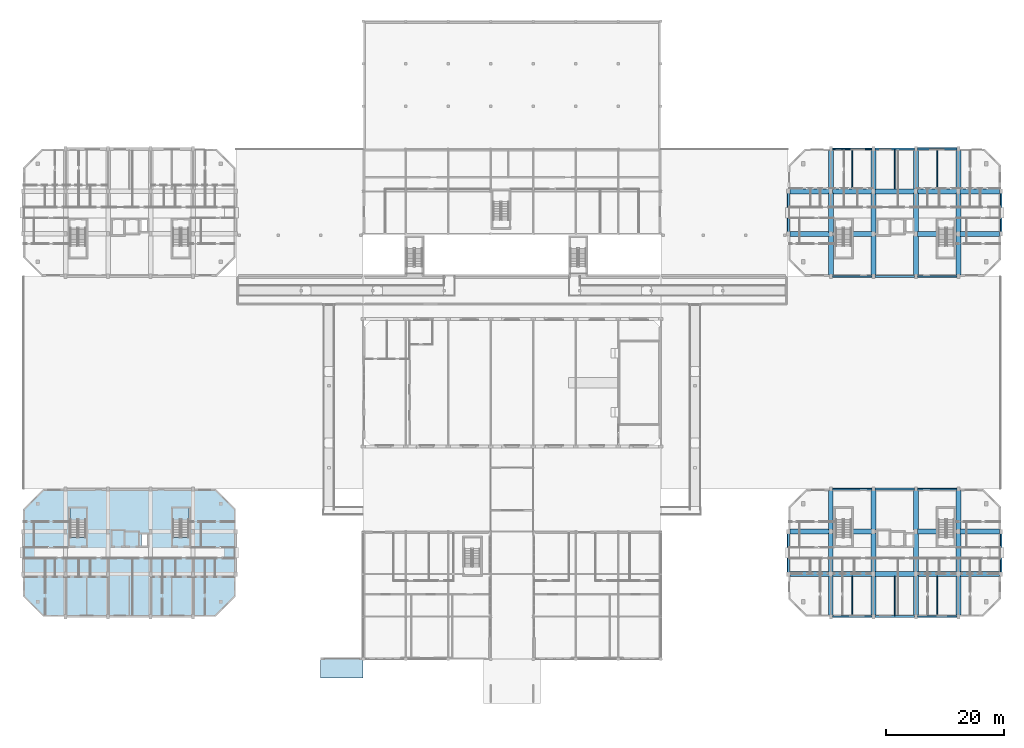
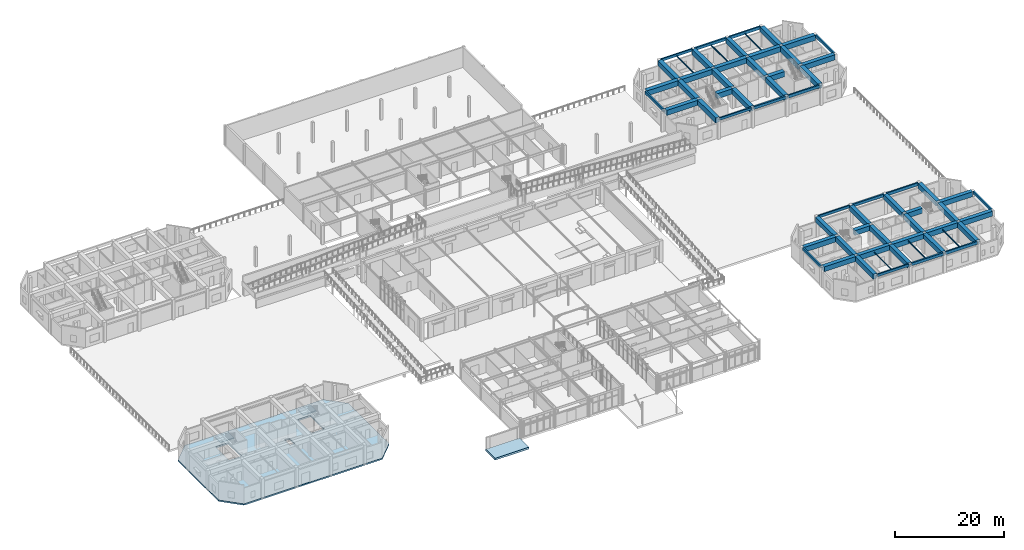
# One storey, part 32 of 85: 64 beams, 4 slabs, 2 elements without a shape of their own.
"""IFC4 building model written with IfcOpenShell, lengths in metres."""

from ifc_helpers import new_model, si_unit, direction, frame, origin, origin_2d, place, context, subcontext, project, spatial, polyline, rectangle, i_section, outline, extrude, material, layer, layer_set, material_profile, profile_set, type_object, element, aggregate, save


model = new_model("IFC4")

# Units and contexts
model_context = context("Model", 3, precision=1e-05, world=origin(), true_north=direction((0.0, 1.0)))
body_context = subcontext(model_context, "Body", "Model", "MODEL_VIEW")
ifc_project = project(units=[si_unit("LENGTHUNIT", "METRE"), si_unit("AREAUNIT", "SQUARE_METRE"), si_unit("VOLUMEUNIT", "CUBIC_METRE"), si_unit("PLANEANGLEUNIT", "RADIAN"), si_unit("MASSUNIT", "GRAM", prefix="KILO")], contexts=[model_context])

# Site, building, storey
site_placement = place(None, origin())
site = spatial("IfcSite", under=ifc_project, at=site_placement, CompositionType="ELEMENT")
building_placement = place(site_placement, origin())
building = spatial("IfcBuilding", under=site, at=building_placement, Name="Ochrevale Crest", CompositionType="ELEMENT")
storey_placement = place(building_placement, origin())
storey = spatial("IfcBuildingStorey", under=building, at=storey_placement, Name="L00", CompositionType="ELEMENT", Elevation=0.0)

# Beams
ifc_material_1 = material(Name="Precast concrete C40/50", Category="concrete")
ifc_material_profile_1 = material_profile(ifc_material_1, rectangle(XDim=0.280029296875, YDim=0.550048828125, at=origin_2d()), Name="PC 280x550")
ifc_profile_set_1 = profile_set([ifc_material_profile_1], Name="Precast concrete C40/50")
beam_type_1 = type_object("IfcBeamType", Name="BM-SP280x550", PredefinedType="SPANDREL", material=ifc_profile_set_1)
for number, where, z_axis, x_axis, name in (
    (1, (137.050048828125, 14.39990234375, 4.22509765625), (1.0, 0.0, 0.0), (0.0, 1.0, 0.0), "Block C L00 E-W beam Y=14.4"),
    (2, (137.050048828125, 36.0, 4.22509765625), (1.0, 0.0, 0.0), (0.0, 1.0, 0.0), "Block C L00 E-W beam Y=36.0"),
    (3, (137.050048828125, 72.0, 4.22509765625), (1.0, 0.0, 0.0), (0.0, 1.0, 0.0), "Block D L00 E-W beam Y=72.0"),
    (4, (137.050048828125, 93.60009765625, 4.22509765625), (1.0, 0.0, 0.0), (0.0, 1.0, 0.0), "Block D L00 E-W beam Y=93.6"),
):
    element("IfcBeam", number, at=place(storey_placement, frame(where, z_axis=z_axis, x_axis=x_axis)), inside=storey, type_object=beam_type_1, Name=name, PredefinedType="SPANDREL", context=body_context, shape_type="SweptSolid", body=[
        extrude(rectangle(XDim=0.280029296875, YDim=0.550048828125, at=origin_2d()), origin(), (0.0, 0.0, 1.0), 6.699951171875),
    ])
ifc_material_profile_2 = material_profile(ifc_material_1, rectangle(XDim=0.300048828125, YDim=0.60009765625, at=origin_2d()), Name="PC 300x600")
ifc_profile_set_2 = profile_set([ifc_material_profile_2], Name="Precast concrete C40/50")
beam_type_2 = type_object("IfcBeamType", Name="BM-SP300x600", PredefinedType="SPANDREL", material=ifc_profile_set_2)
for number, where, z_axis, x_axis, name in (
    (5, (129.60009765625, 21.85498046875, 4.199951171875), (0.0, 1.0, 0.0), (-1.0, 0.0, 0.0), "Block C L00 N-S beam X=129.6"),
    (6, (165.60009765625, 21.85498046875, 4.199951171875), (0.0, 1.0, 0.0), (-1.0, 0.0, 0.0), "Block C L00 N-S beam X=165.6"),
    (7, (129.60009765625, 79.455078125, 4.199951171875), (0.0, 1.0, 0.0), (-1.0, 0.0, 0.0), "Block D L00 N-S beam X=129.6"),
    (8, (165.60009765625, 79.455078125, 4.199951171875), (0.0, 1.0, 0.0), (-1.0, 0.0, 0.0), "Block D L00 N-S beam X=165.6"),
):
    element("IfcBeam", number, at=place(storey_placement, frame(where, z_axis=z_axis, x_axis=x_axis)), inside=storey, type_object=beam_type_2, Name=name, PredefinedType="SPANDREL", context=body_context, shape_type="SweptSolid", body=[
        extrude(rectangle(XDim=0.300048828125, YDim=0.60009765625, at=origin_2d()), origin(), (0.0, 0.0, 1.0), 6.68994140625),
    ])
ifc_material_profile_3 = material_profile(ifc_material_1, rectangle(XDim=0.300048828125, YDim=0.64990234375, at=origin_2d()), Name="PC 300x650")
ifc_profile_set_3 = profile_set([ifc_material_profile_3], Name="Precast concrete C40/50")
beam_type_3 = type_object("IfcBeamType", Name="BM-SP300x650", PredefinedType="SPANDREL", material=ifc_profile_set_3)
for number, where, z_axis, x_axis, name in (
    (9, (151.449951171875, 14.39990234375, 4.175048828125), (1.0, 0.0, 0.0), (0.0, 1.0, 0.0), "Block C L00 E-W beam Y=14.4"),
    (10, (151.449951171875, 36.0, 4.175048828125), (1.0, 0.0, 0.0), (0.0, 1.0, 0.0), "Block C L00 E-W beam Y=36.0"),
    (11, (151.449951171875, 72.0, 4.175048828125), (1.0, 0.0, 0.0), (0.0, 1.0, 0.0), "Block D L00 E-W beam Y=72.0"),
    (12, (151.449951171875, 93.60009765625, 4.175048828125), (1.0, 0.0, 0.0), (0.0, 1.0, 0.0), "Block D L00 E-W beam Y=93.6"),
):
    element("IfcBeam", number, at=place(storey_placement, frame(where, z_axis=z_axis, x_axis=x_axis)), inside=storey, type_object=beam_type_3, Name=name, PredefinedType="SPANDREL", context=body_context, shape_type="SweptSolid", body=[
        extrude(rectangle(XDim=0.300048828125, YDim=0.64990234375, at=origin_2d()), origin(), (0.0, 0.0, 1.0), 6.699951171875),
    ])
ifc_material_profile_4 = material_profile(ifc_material_1, rectangle(XDim=0.35009765625, YDim=0.60009765625, at=origin_2d()), Name="PC 350x600")
ifc_profile_set_4 = profile_set([ifc_material_profile_4], Name="Precast concrete C40/50")
beam_type_4 = type_object("IfcBeamType", Name="BM-SP350x600", PredefinedType="SPANDREL", material=ifc_profile_set_4)
for number, where, z_axis, x_axis, name in (
    (13, (144.25, 14.39990234375, 4.199951171875), (1.0, 0.0, 0.0), (0.0, 1.0, 0.0), "Block C L00 E-W beam Y=14.4"),
    (14, (144.25, 36.0, 4.199951171875), (1.0, 0.0, 0.0), (0.0, 1.0, 0.0), "Block C L00 E-W beam Y=36.0"),
    (15, (144.25, 72.0, 4.199951171875), (1.0, 0.0, 0.0), (0.0, 1.0, 0.0), "Block D L00 E-W beam Y=72.0"),
    (16, (144.25, 93.60009765625, 4.199951171875), (1.0, 0.0, 0.0), (0.0, 1.0, 0.0), "Block D L00 E-W beam Y=93.6"),
):
    element("IfcBeam", number, at=place(storey_placement, frame(where, z_axis=z_axis, x_axis=x_axis)), inside=storey, type_object=beam_type_4, Name=name, PredefinedType="SPANDREL", context=body_context, shape_type="SweptSolid", body=[
        extrude(rectangle(XDim=0.35009765625, YDim=0.60009765625, at=origin_2d()), origin(), (0.0, 0.0, 1.0), 6.699951171875),
    ])
ifc_material_2 = material(Name="Concrete C50/60", Category="concrete")
ifc_material_profile_5 = material_profile(ifc_material_2, rectangle(XDim=0.800048828125, YDim=1.10009765625, at=origin_2d()), Name="RC 800x1100")
ifc_profile_set_5 = profile_set([ifc_material_profile_5], Name="Concrete C50/60")
beam_type_5 = type_object("IfcBeamType", Name="BM-TG800x1100", PredefinedType="USERDEFINED", material=ifc_profile_set_5)
beam_1_placement = place(storey_placement, frame((129.85009765625, 21.60009765625, 3.949951171875), z_axis=(1.0, 0.0, 0.0), x_axis=(0.0, 1.0, 0.0)))
element("IfcBeam", 17, at=beam_1_placement, inside=storey, type_object=beam_type_5, Name="Block C L00 E-W beam Y=21.6", ObjectType="GIRDER", PredefinedType="USERDEFINED", context=body_context, shape_type="SweptSolid", body=[
    extrude(rectangle(XDim=0.800048828125, YDim=1.10009765625, at=origin_2d()), origin(), (0.0, 0.0, 1.0), 6.6748046875),
])
for number, where, z_axis, x_axis, name in (
    (18, (137.074951171875, 21.60009765625, 3.949951171875), (1.0, 0.0, 0.0), (0.0, 1.0, 0.0), "Block C L00 E-W beam Y=21.6"),
    (19, (144.27490234375, 21.60009765625, 3.949951171875), (1.0, 0.0, 0.0), (0.0, 1.0, 0.0), "Block C L00 E-W beam Y=21.6"),
):
    element("IfcBeam", number, at=place(storey_placement, frame(where, z_axis=z_axis, x_axis=x_axis)), inside=storey, type_object=beam_type_5, Name=name, ObjectType="GIRDER", PredefinedType="USERDEFINED", context=body_context, shape_type="SweptSolid", body=[
        extrude(rectangle(XDim=0.800048828125, YDim=1.10009765625, at=origin_2d()), origin(), (0.0, 0.0, 1.0), 6.650146484375),
    ])
beam_2_placement = place(storey_placement, frame((151.47509765625, 21.60009765625, 3.949951171875), z_axis=(1.0, 0.0, 0.0), x_axis=(0.0, 1.0, 0.0)))
element("IfcBeam", 20, at=beam_2_placement, inside=storey, type_object=beam_type_5, Name="Block C L00 E-W beam Y=21.6", ObjectType="GIRDER", PredefinedType="USERDEFINED", context=body_context, shape_type="SweptSolid", body=[
    extrude(rectangle(XDim=0.800048828125, YDim=1.10009765625, at=origin_2d()), origin(), (0.0, 0.0, 1.0), 6.64990234375),
])
beam_3_placement = place(storey_placement, frame((158.675048828125, 21.60009765625, 3.949951171875), z_axis=(1.0, 0.0, 0.0), x_axis=(0.0, 1.0, 0.0)))
element("IfcBeam", 21, at=beam_3_placement, inside=storey, type_object=beam_type_5, Name="Block C L00 E-W beam Y=21.6", ObjectType="GIRDER", PredefinedType="USERDEFINED", context=body_context, shape_type="SweptSolid", body=[
    extrude(rectangle(XDim=0.800048828125, YDim=1.10009765625, at=origin_2d()), origin(), (0.0, 0.0, 1.0), 6.675048828125),
])
beam_4_placement = place(storey_placement, frame((129.85009765625, 28.800048828125, 3.949951171875), z_axis=(1.0, 0.0, 0.0), x_axis=(0.0, 1.0, 0.0)))
element("IfcBeam", 22, at=beam_4_placement, inside=storey, type_object=beam_type_5, Name="Block C L00 E-W beam Y=28.8", ObjectType="GIRDER", PredefinedType="USERDEFINED", context=body_context, shape_type="SweptSolid", body=[
    extrude(rectangle(XDim=0.800048828125, YDim=1.10009765625, at=origin_2d()), origin(), (0.0, 0.0, 1.0), 6.6748046875),
])
beam_5_placement = place(storey_placement, frame((140.489990234375, 28.800048828125, 3.949951171875), z_axis=(1.0, 0.0, 0.0), x_axis=(0.0, 1.0, 0.0)))
element("IfcBeam", 23, at=beam_5_placement, inside=storey, type_object=beam_type_5, Name="Block C L00 E-W beam Y=28.8", ObjectType="GIRDER", PredefinedType="USERDEFINED", context=body_context, shape_type="SweptSolid", body=[
    extrude(rectangle(XDim=0.800048828125, YDim=1.10009765625, at=origin_2d()), origin(), (0.0, 0.0, 1.0), 3.235107421875),
])
beam_6_placement = place(storey_placement, frame((151.47509765625, 28.800048828125, 3.949951171875), z_axis=(1.0, 0.0, 0.0), x_axis=(0.0, 1.0, 0.0)))
element("IfcBeam", 24, at=beam_6_placement, inside=storey, type_object=beam_type_5, Name="Block C L00 E-W beam Y=28.8", ObjectType="GIRDER", PredefinedType="USERDEFINED", context=body_context, shape_type="SweptSolid", body=[
    extrude(rectangle(XDim=0.800048828125, YDim=1.10009765625, at=origin_2d()), origin(), (0.0, 0.0, 1.0), 3.284912109375),
])
beam_7_placement = place(storey_placement, frame((158.675048828125, 28.800048828125, 3.949951171875), z_axis=(1.0, 0.0, 0.0), x_axis=(0.0, 1.0, 0.0)))
element("IfcBeam", 25, at=beam_7_placement, inside=storey, type_object=beam_type_5, Name="Block C L00 E-W beam Y=28.8", ObjectType="GIRDER", PredefinedType="USERDEFINED", context=body_context, shape_type="SweptSolid", body=[
    extrude(rectangle(XDim=0.800048828125, YDim=1.10009765625, at=origin_2d()), origin(), (0.0, 0.0, 1.0), 6.675048828125),
])
beam_8_placement = place(storey_placement, frame((136.800048828125, 14.655029296875, 3.949951171875), z_axis=(0.0, 1.0, 0.0), x_axis=(-1.0, 0.0, 0.0)))
element("IfcBeam", 26, at=beam_8_placement, inside=storey, type_object=beam_type_5, Name="Block C L00 N-S beam X=136.8", ObjectType="GIRDER", PredefinedType="USERDEFINED", context=body_context, shape_type="SweptSolid", body=[
    extrude(rectangle(XDim=0.800048828125, YDim=1.10009765625, at=origin_2d()), origin(), (0.0, 0.0, 1.0), 6.6650390625),
])
beam_9_placement = place(storey_placement, frame((136.800048828125, 21.8798828125, 3.949951171875), z_axis=(0.0, 1.0, 0.0), x_axis=(-1.0, 0.0, 0.0)))
element("IfcBeam", 27, at=beam_9_placement, inside=storey, type_object=beam_type_5, Name="Block C L00 N-S beam X=136.8", ObjectType="GIRDER", PredefinedType="USERDEFINED", context=body_context, shape_type="SweptSolid", body=[
    extrude(rectangle(XDim=0.800048828125, YDim=1.10009765625, at=origin_2d()), origin(), (0.0, 0.0, 1.0), 6.64013671875),
])
for number, where, z_axis, x_axis, name in (
    (28, (136.800048828125, 29.080078125, 3.949951171875), (0.0, 1.0, 0.0), (-1.0, 0.0, 0.0), "Block C L00 N-S beam X=136.8"),
    (29, (144.0, 14.655029296875, 3.949951171875), (0.0, 1.0, 0.0), (-1.0, 0.0, 0.0), "Block C L00 N-S beam X=144.0"),
):
    element("IfcBeam", number, at=place(storey_placement, frame(where, z_axis=z_axis, x_axis=x_axis)), inside=storey, type_object=beam_type_5, Name=name, ObjectType="GIRDER", PredefinedType="USERDEFINED", context=body_context, shape_type="SweptSolid", body=[
        extrude(rectangle(XDim=0.800048828125, YDim=1.10009765625, at=origin_2d()), origin(), (0.0, 0.0, 1.0), 6.6650390625),
    ])
beam_10_placement = place(storey_placement, frame((144.0, 21.8798828125, 3.949951171875), z_axis=(0.0, 1.0, 0.0), x_axis=(-1.0, 0.0, 0.0)))
element("IfcBeam", 30, at=beam_10_placement, inside=storey, type_object=beam_type_5, Name="Block C L00 N-S beam X=144.0", ObjectType="GIRDER", PredefinedType="USERDEFINED", context=body_context, shape_type="SweptSolid", body=[
    extrude(rectangle(XDim=0.800048828125, YDim=1.10009765625, at=origin_2d()), origin(), (0.0, 0.0, 1.0), 6.64013671875),
])
for number, where, z_axis, x_axis, name in (
    (31, (144.0, 29.080078125, 3.949951171875), (0.0, 1.0, 0.0), (-1.0, 0.0, 0.0), "Block C L00 N-S beam X=144.0"),
    (32, (151.199951171875, 14.655029296875, 3.949951171875), (0.0, 1.0, 0.0), (-1.0, 0.0, 0.0), "Block C L00 N-S beam X=151.2"),
):
    element("IfcBeam", number, at=place(storey_placement, frame(where, z_axis=z_axis, x_axis=x_axis)), inside=storey, type_object=beam_type_5, Name=name, ObjectType="GIRDER", PredefinedType="USERDEFINED", context=body_context, shape_type="SweptSolid", body=[
        extrude(rectangle(XDim=0.800048828125, YDim=1.10009765625, at=origin_2d()), origin(), (0.0, 0.0, 1.0), 6.6650390625),
    ])
beam_11_placement = place(storey_placement, frame((151.199951171875, 21.8798828125, 3.949951171875), z_axis=(0.0, 1.0, 0.0), x_axis=(-1.0, 0.0, 0.0)))
element("IfcBeam", 33, at=beam_11_placement, inside=storey, type_object=beam_type_5, Name="Block C L00 N-S beam X=151.2", ObjectType="GIRDER", PredefinedType="USERDEFINED", context=body_context, shape_type="SweptSolid", body=[
    extrude(rectangle(XDim=0.800048828125, YDim=1.10009765625, at=origin_2d()), origin(), (0.0, 0.0, 1.0), 6.64013671875),
])
for number, where, z_axis, x_axis, name in (
    (34, (151.199951171875, 29.080078125, 3.949951171875), (0.0, 1.0, 0.0), (-1.0, 0.0, 0.0), "Block C L00 N-S beam X=151.2"),
    (35, (158.39990234375, 14.655029296875, 3.949951171875), (0.0, 1.0, 0.0), (-1.0, 0.0, 0.0), "Block C L00 N-S beam X=158.4"),
):
    element("IfcBeam", number, at=place(storey_placement, frame(where, z_axis=z_axis, x_axis=x_axis)), inside=storey, type_object=beam_type_5, Name=name, ObjectType="GIRDER", PredefinedType="USERDEFINED", context=body_context, shape_type="SweptSolid", body=[
        extrude(rectangle(XDim=0.800048828125, YDim=1.10009765625, at=origin_2d()), origin(), (0.0, 0.0, 1.0), 6.6650390625),
    ])
beam_12_placement = place(storey_placement, frame((158.39990234375, 21.8798828125, 3.949951171875), z_axis=(0.0, 1.0, 0.0), x_axis=(-1.0, 0.0, 0.0)))
element("IfcBeam", 36, at=beam_12_placement, inside=storey, type_object=beam_type_5, Name="Block C L00 N-S beam X=158.4", ObjectType="GIRDER", PredefinedType="USERDEFINED", context=body_context, shape_type="SweptSolid", body=[
    extrude(rectangle(XDim=0.800048828125, YDim=1.10009765625, at=origin_2d()), origin(), (0.0, 0.0, 1.0), 6.64013671875),
])
beam_13_placement = place(storey_placement, frame((158.39990234375, 29.080078125, 3.949951171875), z_axis=(0.0, 1.0, 0.0), x_axis=(-1.0, 0.0, 0.0)))
element("IfcBeam", 37, at=beam_13_placement, inside=storey, type_object=beam_type_5, Name="Block C L00 N-S beam X=158.4", ObjectType="GIRDER", PredefinedType="USERDEFINED", context=body_context, shape_type="SweptSolid", body=[
    extrude(rectangle(XDim=0.800048828125, YDim=1.10009765625, at=origin_2d()), origin(), (0.0, 0.0, 1.0), 6.6650390625),
])
ifc_material_profile_6 = material_profile(ifc_material_2, rectangle(XDim=0.85009765625, YDim=1.14990234375, at=origin_2d()), Name="RC 850x1150")
ifc_profile_set_6 = profile_set([ifc_material_profile_6], Name="Concrete C50/60")
beam_type_6 = type_object("IfcBeamType", Name="BM-TG850x1150", PredefinedType="USERDEFINED", material=ifc_profile_set_6)
beam_14_placement = place(storey_placement, frame((129.85009765625, 79.199951171875, 3.925048828125), z_axis=(1.0, 0.0, 0.0), x_axis=(0.0, 1.0, 0.0)))
element("IfcBeam", 38, at=beam_14_placement, inside=storey, type_object=beam_type_6, Name="Block D L00 E-W beam Y=79.2", ObjectType="GIRDER", PredefinedType="USERDEFINED", context=body_context, shape_type="SweptSolid", body=[
    extrude(rectangle(XDim=0.85009765625, YDim=1.14990234375, at=origin_2d()), origin(), (0.0, 0.0, 1.0), 6.6748046875),
])
beam_15_placement = place(storey_placement, frame((140.489990234375, 79.199951171875, 3.925048828125), z_axis=(1.0, 0.0, 0.0), x_axis=(0.0, 1.0, 0.0)))
element("IfcBeam", 39, at=beam_15_placement, inside=storey, type_object=beam_type_6, Name="Block D L00 E-W beam Y=79.2", ObjectType="GIRDER", PredefinedType="USERDEFINED", context=body_context, shape_type="SweptSolid", body=[
    extrude(rectangle(XDim=0.85009765625, YDim=1.14990234375, at=origin_2d()), origin(), (0.0, 0.0, 1.0), 3.235107421875),
])
beam_16_placement = place(storey_placement, frame((151.47509765625, 79.199951171875, 3.925048828125), z_axis=(1.0, 0.0, 0.0), x_axis=(0.0, 1.0, 0.0)))
element("IfcBeam", 40, at=beam_16_placement, inside=storey, type_object=beam_type_6, Name="Block D L00 E-W beam Y=79.2", ObjectType="GIRDER", PredefinedType="USERDEFINED", context=body_context, shape_type="SweptSolid", body=[
    extrude(rectangle(XDim=0.85009765625, YDim=1.14990234375, at=origin_2d()), origin(), (0.0, 0.0, 1.0), 3.284912109375),
])
beam_17_placement = place(storey_placement, frame((158.675048828125, 79.199951171875, 3.925048828125), z_axis=(1.0, 0.0, 0.0), x_axis=(0.0, 1.0, 0.0)))
element("IfcBeam", 41, at=beam_17_placement, inside=storey, type_object=beam_type_6, Name="Block D L00 E-W beam Y=79.2", ObjectType="GIRDER", PredefinedType="USERDEFINED", context=body_context, shape_type="SweptSolid", body=[
    extrude(rectangle(XDim=0.85009765625, YDim=1.14990234375, at=origin_2d()), origin(), (0.0, 0.0, 1.0), 6.675048828125),
])
beam_18_placement = place(storey_placement, frame((129.85009765625, 86.39990234375, 3.925048828125), z_axis=(1.0, 0.0, 0.0), x_axis=(0.0, 1.0, 0.0)))
element("IfcBeam", 42, at=beam_18_placement, inside=storey, type_object=beam_type_6, Name="Block D L00 E-W beam Y=86.4", ObjectType="GIRDER", PredefinedType="USERDEFINED", context=body_context, shape_type="SweptSolid", body=[
    extrude(rectangle(XDim=0.85009765625, YDim=1.14990234375, at=origin_2d()), origin(), (0.0, 0.0, 1.0), 6.6748046875),
])
for number, where, z_axis, x_axis, name in (
    (43, (137.074951171875, 86.39990234375, 3.925048828125), (1.0, 0.0, 0.0), (0.0, 1.0, 0.0), "Block D L00 E-W beam Y=86.4"),
    (44, (144.27490234375, 86.39990234375, 3.925048828125), (1.0, 0.0, 0.0), (0.0, 1.0, 0.0), "Block D L00 E-W beam Y=86.4"),
):
    element("IfcBeam", number, at=place(storey_placement, frame(where, z_axis=z_axis, x_axis=x_axis)), inside=storey, type_object=beam_type_6, Name=name, ObjectType="GIRDER", PredefinedType="USERDEFINED", context=body_context, shape_type="SweptSolid", body=[
        extrude(rectangle(XDim=0.85009765625, YDim=1.14990234375, at=origin_2d()), origin(), (0.0, 0.0, 1.0), 6.650146484375),
    ])
beam_19_placement = place(storey_placement, frame((151.47509765625, 86.39990234375, 3.925048828125), z_axis=(1.0, 0.0, 0.0), x_axis=(0.0, 1.0, 0.0)))
element("IfcBeam", 45, at=beam_19_placement, inside=storey, type_object=beam_type_6, Name="Block D L00 E-W beam Y=86.4", ObjectType="GIRDER", PredefinedType="USERDEFINED", context=body_context, shape_type="SweptSolid", body=[
    extrude(rectangle(XDim=0.85009765625, YDim=1.14990234375, at=origin_2d()), origin(), (0.0, 0.0, 1.0), 6.64990234375),
])
beam_20_placement = place(storey_placement, frame((158.675048828125, 86.39990234375, 3.925048828125), z_axis=(1.0, 0.0, 0.0), x_axis=(0.0, 1.0, 0.0)))
element("IfcBeam", 46, at=beam_20_placement, inside=storey, type_object=beam_type_6, Name="Block D L00 E-W beam Y=86.4", ObjectType="GIRDER", PredefinedType="USERDEFINED", context=body_context, shape_type="SweptSolid", body=[
    extrude(rectangle(XDim=0.85009765625, YDim=1.14990234375, at=origin_2d()), origin(), (0.0, 0.0, 1.0), 6.675048828125),
])
beam_21_placement = place(storey_placement, frame((136.800048828125, 72.2548828125, 3.925048828125), z_axis=(0.0, 1.0, 0.0), x_axis=(-1.0, 0.0, 0.0)))
element("IfcBeam", 47, at=beam_21_placement, inside=storey, type_object=beam_type_6, Name="Block D L00 N-S beam X=136.8", ObjectType="GIRDER", PredefinedType="USERDEFINED", context=body_context, shape_type="SweptSolid", body=[
    extrude(rectangle(XDim=0.85009765625, YDim=1.14990234375, at=origin_2d()), origin(), (0.0, 0.0, 1.0), 6.6650390625),
])
beam_22_placement = place(storey_placement, frame((136.800048828125, 79.47998046875, 3.925048828125), z_axis=(0.0, 1.0, 0.0), x_axis=(-1.0, 0.0, 0.0)))
element("IfcBeam", 48, at=beam_22_placement, inside=storey, type_object=beam_type_6, Name="Block D L00 N-S beam X=136.8", ObjectType="GIRDER", PredefinedType="USERDEFINED", context=body_context, shape_type="SweptSolid", body=[
    extrude(rectangle(XDim=0.85009765625, YDim=1.14990234375, at=origin_2d()), origin(), (0.0, 0.0, 1.0), 6.64013671875),
])
for number, where, z_axis, x_axis, name in (
    (49, (136.800048828125, 86.679931640625, 3.925048828125), (0.0, 1.0, 0.0), (-1.0, 0.0, 0.0), "Block D L00 N-S beam X=136.8"),
    (50, (144.0, 72.2548828125, 3.925048828125), (0.0, 1.0, 0.0), (-1.0, 0.0, 0.0), "Block D L00 N-S beam X=144.0"),
):
    element("IfcBeam", number, at=place(storey_placement, frame(where, z_axis=z_axis, x_axis=x_axis)), inside=storey, type_object=beam_type_6, Name=name, ObjectType="GIRDER", PredefinedType="USERDEFINED", context=body_context, shape_type="SweptSolid", body=[
        extrude(rectangle(XDim=0.85009765625, YDim=1.14990234375, at=origin_2d()), origin(), (0.0, 0.0, 1.0), 6.6650390625),
    ])
beam_23_placement = place(storey_placement, frame((144.0, 79.47998046875, 3.925048828125), z_axis=(0.0, 1.0, 0.0), x_axis=(-1.0, 0.0, 0.0)))
element("IfcBeam", 51, at=beam_23_placement, inside=storey, type_object=beam_type_6, Name="Block D L00 N-S beam X=144.0", ObjectType="GIRDER", PredefinedType="USERDEFINED", context=body_context, shape_type="SweptSolid", body=[
    extrude(rectangle(XDim=0.85009765625, YDim=1.14990234375, at=origin_2d()), origin(), (0.0, 0.0, 1.0), 6.64013671875),
])
for number, where, z_axis, x_axis, name in (
    (52, (144.0, 86.679931640625, 3.925048828125), (0.0, 1.0, 0.0), (-1.0, 0.0, 0.0), "Block D L00 N-S beam X=144.0"),
    (53, (151.199951171875, 72.2548828125, 3.925048828125), (0.0, 1.0, 0.0), (-1.0, 0.0, 0.0), "Block D L00 N-S beam X=151.2"),
):
    element("IfcBeam", number, at=place(storey_placement, frame(where, z_axis=z_axis, x_axis=x_axis)), inside=storey, type_object=beam_type_6, Name=name, ObjectType="GIRDER", PredefinedType="USERDEFINED", context=body_context, shape_type="SweptSolid", body=[
        extrude(rectangle(XDim=0.85009765625, YDim=1.14990234375, at=origin_2d()), origin(), (0.0, 0.0, 1.0), 6.6650390625),
    ])
beam_24_placement = place(storey_placement, frame((151.199951171875, 79.47998046875, 3.925048828125), z_axis=(0.0, 1.0, 0.0), x_axis=(-1.0, 0.0, 0.0)))
element("IfcBeam", 54, at=beam_24_placement, inside=storey, type_object=beam_type_6, Name="Block D L00 N-S beam X=151.2", ObjectType="GIRDER", PredefinedType="USERDEFINED", context=body_context, shape_type="SweptSolid", body=[
    extrude(rectangle(XDim=0.85009765625, YDim=1.14990234375, at=origin_2d()), origin(), (0.0, 0.0, 1.0), 6.64013671875),
])
for number, where, z_axis, x_axis, name in (
    (55, (151.199951171875, 86.679931640625, 3.925048828125), (0.0, 1.0, 0.0), (-1.0, 0.0, 0.0), "Block D L00 N-S beam X=151.2"),
    (56, (158.39990234375, 72.2548828125, 3.925048828125), (0.0, 1.0, 0.0), (-1.0, 0.0, 0.0), "Block D L00 N-S beam X=158.4"),
):
    element("IfcBeam", number, at=place(storey_placement, frame(where, z_axis=z_axis, x_axis=x_axis)), inside=storey, type_object=beam_type_6, Name=name, ObjectType="GIRDER", PredefinedType="USERDEFINED", context=body_context, shape_type="SweptSolid", body=[
        extrude(rectangle(XDim=0.85009765625, YDim=1.14990234375, at=origin_2d()), origin(), (0.0, 0.0, 1.0), 6.6650390625),
    ])
beam_25_placement = place(storey_placement, frame((158.39990234375, 79.47998046875, 3.925048828125), z_axis=(0.0, 1.0, 0.0), x_axis=(-1.0, 0.0, 0.0)))
element("IfcBeam", 57, at=beam_25_placement, inside=storey, type_object=beam_type_6, Name="Block D L00 N-S beam X=158.4", ObjectType="GIRDER", PredefinedType="USERDEFINED", context=body_context, shape_type="SweptSolid", body=[
    extrude(rectangle(XDim=0.85009765625, YDim=1.14990234375, at=origin_2d()), origin(), (0.0, 0.0, 1.0), 6.64013671875),
])
beam_26_placement = place(storey_placement, frame((158.39990234375, 86.679931640625, 3.925048828125), z_axis=(0.0, 1.0, 0.0), x_axis=(-1.0, 0.0, 0.0)))
element("IfcBeam", 58, at=beam_26_placement, inside=storey, type_object=beam_type_6, Name="Block D L00 N-S beam X=158.4", ObjectType="GIRDER", PredefinedType="USERDEFINED", context=body_context, shape_type="SweptSolid", body=[
    extrude(rectangle(XDim=0.85009765625, YDim=1.14990234375, at=origin_2d()), origin(), (0.0, 0.0, 1.0), 6.6650390625),
])
ifc_material_3 = material(Name="Steel S355", Category="steel")
ifc_material_profile_7 = material_profile(ifc_material_3, i_section(OverallWidth=0.134033203125, OverallDepth=0.20703125, WebThickness=0.00634765625, FlangeThickness=0.009521484375, FilletRadius=0.0087890625, at=origin_2d()), Name="200UB29.8")
ifc_profile_set_7 = profile_set([ifc_material_profile_7], Name="Steel S355")
beam_type_7 = type_object("IfcBeamType", Name="BM-UB200B", PredefinedType="JOIST", material=ifc_profile_set_7)
beam_27_placement = place(storey_placement, frame((140.39990234375, 14.528076171875, 4.071533203125), z_axis=(0.0, 1.0, 0.0), x_axis=(-1.0, 0.0, 0.0)))
element("IfcBeam", 59, at=beam_27_placement, inside=storey, type_object=beam_type_7, Name="Block C L00 composite plank trimmer beam 2", PredefinedType="JOIST", context=body_context, shape_type="SweptSolid", body=[
    extrude(i_section(OverallWidth=0.134033203125, OverallDepth=0.20703125, WebThickness=0.00634765625, FlangeThickness=0.009521484375, FilletRadius=0.0087890625, at=origin_2d()), origin(), (0.0, 0.0, 1.0), 6.683837890625),
])
beam_28_placement = place(storey_placement, frame((140.39990234375, 86.81298828125, 4.071533203125), z_axis=(0.0, 1.0, 0.0), x_axis=(-1.0, 0.0, 0.0)))
element("IfcBeam", 60, at=beam_28_placement, inside=storey, type_object=beam_type_7, Name="Block D L00 composite plank trimmer beam 2", PredefinedType="JOIST", context=body_context, shape_type="SweptSolid", body=[
    extrude(i_section(OverallWidth=0.134033203125, OverallDepth=0.20703125, WebThickness=0.00634765625, FlangeThickness=0.009521484375, FilletRadius=0.0087890625, at=origin_2d()), origin(), (0.0, 0.0, 1.0), 6.658935546875),
])
ifc_material_profile_8 = material_profile(ifc_material_3, i_section(OverallWidth=0.14599609375, OverallDepth=0.251708984375, WebThickness=0.006103515625, FlangeThickness=0.008544921875, FilletRadius=0.0087890625, at=origin_2d()), Name="250UB31.4")
ifc_profile_set_8 = profile_set([ifc_material_profile_8], Name="Steel S355")
beam_type_8 = type_object("IfcBeamType", Name="BM-UB250A", PredefinedType="JOIST", material=ifc_profile_set_8)
beam_29_placement = place(storey_placement, frame((147.60009765625, 14.56298828125, 4.04931640625), z_axis=(0.0, 1.0, 0.0), x_axis=(-1.0, 0.0, 0.0)))
element("IfcBeam", 61, at=beam_29_placement, inside=storey, type_object=beam_type_8, Name="Block C L00 composite plank trimmer beam 3", PredefinedType="JOIST", context=body_context, shape_type="SweptSolid", body=[
    extrude(i_section(OverallWidth=0.14599609375, OverallDepth=0.251708984375, WebThickness=0.006103515625, FlangeThickness=0.008544921875, FilletRadius=0.0087890625, at=origin_2d()), origin(), (0.0, 0.0, 1.0), 6.64892578125),
])
beam_30_placement = place(storey_placement, frame((147.60009765625, 86.81298828125, 4.04931640625), z_axis=(0.0, 1.0, 0.0), x_axis=(-1.0, 0.0, 0.0)))
element("IfcBeam", 62, at=beam_30_placement, inside=storey, type_object=beam_type_8, Name="Block D L00 composite plank trimmer beam 3", PredefinedType="JOIST", context=body_context, shape_type="SweptSolid", body=[
    extrude(i_section(OverallWidth=0.14599609375, OverallDepth=0.251708984375, WebThickness=0.006103515625, FlangeThickness=0.008544921875, FilletRadius=0.0087890625, at=origin_2d()), origin(), (0.0, 0.0, 1.0), 6.6240234375),
])
ifc_material_profile_9 = material_profile(ifc_material_3, i_section(OverallWidth=0.146484375, OverallDepth=0.256103515625, WebThickness=0.00634765625, FlangeThickness=0.010986328125, FilletRadius=0.0087890625, at=origin_2d()), Name="250UB37.3")
ifc_profile_set_9 = profile_set([ifc_material_profile_9], Name="Steel S355")
beam_type_9 = type_object("IfcBeamType", Name="BM-UB250B", PredefinedType="JOIST", material=ifc_profile_set_9)
beam_31_placement = place(storey_placement, frame((154.800048828125, 14.5380859375, 4.046875), z_axis=(0.0, 1.0, 0.0), x_axis=(-1.0, 0.0, 0.0)))
element("IfcBeam", 63, at=beam_31_placement, inside=storey, type_object=beam_type_9, Name="Block C L00 composite plank trimmer beam 4", PredefinedType="JOIST", context=body_context, shape_type="SweptSolid", body=[
    extrude(i_section(OverallWidth=0.146484375, OverallDepth=0.256103515625, WebThickness=0.00634765625, FlangeThickness=0.010986328125, FilletRadius=0.0087890625, at=origin_2d()), origin(), (0.0, 0.0, 1.0), 6.673828125),
])
beam_32_placement = place(storey_placement, frame((154.800048828125, 86.81298828125, 4.046875), z_axis=(0.0, 1.0, 0.0), x_axis=(-1.0, 0.0, 0.0)))
element("IfcBeam", 64, at=beam_32_placement, inside=storey, type_object=beam_type_9, Name="Block D L00 composite plank trimmer beam 4", PredefinedType="JOIST", context=body_context, shape_type="SweptSolid", body=[
    extrude(i_section(OverallWidth=0.146484375, OverallDepth=0.256103515625, WebThickness=0.00634765625, FlangeThickness=0.010986328125, FilletRadius=0.0087890625, at=origin_2d()), origin(), (0.0, 0.0, 1.0), 6.64892578125),
])

# Slabs
ifc_material_4 = material(Name="Concrete C40/50", Category="concrete")
ifc_layer_1 = layer(ifc_material_4, 0.4150390625)
ifc_layer_set_1 = layer_set([ifc_layer_1], Name="Concrete C40/50")
slab_type_1 = type_object("IfcSlabType", Name="SLB-HALL-300", PredefinedType="FLOOR", material=ifc_layer_set_1)
slab_1_placement = place(storey_placement, frame((0.0, 0.0, -0.419921875)))
element("IfcSlab", 65, at=slab_1_placement, inside=storey, type_object=slab_type_1, Name="Boulevard car park entry apron slab", PredefinedType="FLOOR", context=body_context, shape_type="SweptSolid", body=[
    extrude(outline(polyline([(50.39990234375, 4.0), (57.574951171875, 4.0), (57.574951171875, 7.419921875), (50.39990234375, 7.419921875), (50.39990234375, 4.0)])), origin(), (0.0, 0.0, 1.0), 0.419921875),
])
ifc_layer_2 = layer(ifc_material_1, 0.324951171875)
ifc_layer_set_2 = layer_set([ifc_layer_2], Name="Precast concrete C40/50")
slab_type_2 = type_object("IfcSlabType", Name="SLB-POD-325", PredefinedType="FLOOR", material=ifc_layer_set_2)
slab_2_placement = place(storey_placement, frame((0.0, 0.0, -0.324951171875)))
element("IfcSlab", 66, at=slab_2_placement, inside=storey, type_object=slab_type_2, Name="Block A L00 composite hollowcore floor slab", PredefinedType="FLOOR", context=body_context, shape_type="SweptSolid", body=[
    extrude(outline(polyline([(3.39990234375, 14.39990234375), (32.60009765625, 14.39990234375), (36.0, 17.800048828125), (36.0, 32.60009765625), (32.60009765625, 36.0), (3.39990234375, 36.0), (0.0, 32.60009765625), (0.0, 17.800048828125), (3.39990234375, 14.39990234375)]), holes=[polyline([(10.64990234375, 27.824951171875), (10.64990234375, 32.72509765625), (8.0, 32.72509765625), (8.0, 27.824951171875), (10.64990234375, 27.824951171875)]), polyline([(28.050048828125, 27.824951171875), (28.050048828125, 32.72509765625), (25.39990234375, 32.72509765625), (25.39990234375, 27.824951171875), (28.050048828125, 27.824951171875)]), polyline([(20.070068359375, 26.419921875), (21.080078125, 26.419921875), (21.080078125, 28.3798828125), (20.070068359375, 28.3798828125), (20.070068359375, 26.419921875)])]), origin(), (0.0, 0.0, 1.0), 0.324951171875),
])

# Stair, slab
stair_type = type_object("IfcStairType", Name="ST-CORE-DOG", PredefinedType="HALF_TURN_STAIR", material=ifc_material_1)
stair_1_placement = place(storey_placement, origin())
stair_1 = element("IfcStair", 67, at=stair_1_placement, inside=storey, type_object=stair_type, Name="L00 Block A Fire Stair 1", PredefinedType="HALF_TURN_STAIR")
ifc_layer_3 = layer(ifc_material_1, 0.199951171875)
ifc_layer_set_3 = layer_set([ifc_layer_3], Name="Precast concrete C40/50")
slab_type_3 = type_object("IfcSlabType", Name="SLB-ST-LAND", PredefinedType="LANDING", material=ifc_layer_set_3)
slab_3_placement = place(storey_placement, frame((0.0, 0.0, 2.050048828125)))
slab_3 = element("IfcSlab", 68, at=slab_3_placement, type_object=slab_type_3, Name="ST-A1 landing 1", PredefinedType="LANDING", context=body_context, shape_type="SweptSolid", body=[
    extrude(outline(polyline([(10.72998046875, 30.77490234375), (10.72998046875, 32.804931640625), (7.919921875, 32.804931640625), (7.919921875, 30.77490234375), (10.72998046875, 30.77490234375)])), origin(), (0.0, 0.0, 1.0), 0.199951171875),
])
aggregate(stair_1, [slab_3])

stair_2_placement = place(storey_placement, origin())
stair_2 = element("IfcStair", 69, at=stair_2_placement, inside=storey, type_object=stair_type, Name="L00 Block A Fire Stair 2", PredefinedType="HALF_TURN_STAIR")
slab_4_placement = place(storey_placement, frame((0.0, 0.0, 2.050048828125)))
slab_4 = element("IfcSlab", 70, at=slab_4_placement, type_object=slab_type_3, Name="ST-A2 landing 1", PredefinedType="LANDING", context=body_context, shape_type="SweptSolid", body=[
    extrude(outline(polyline([(28.1298828125, 30.77490234375), (28.1298828125, 32.804931640625), (25.320068359375, 32.804931640625), (25.320068359375, 30.77490234375), (28.1298828125, 30.77490234375)])), origin(), (0.0, 0.0, 1.0), 0.199951171875),
])
aggregate(stair_2, [slab_4])

save(model, "model.ifc")
